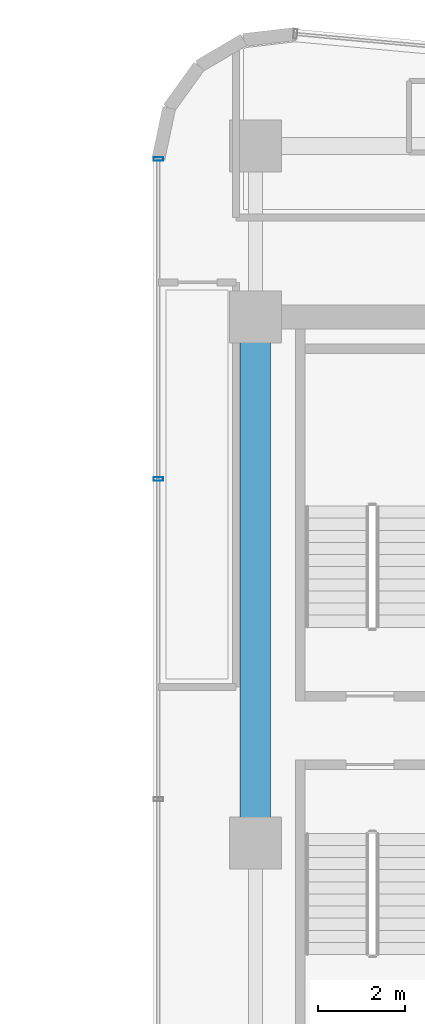
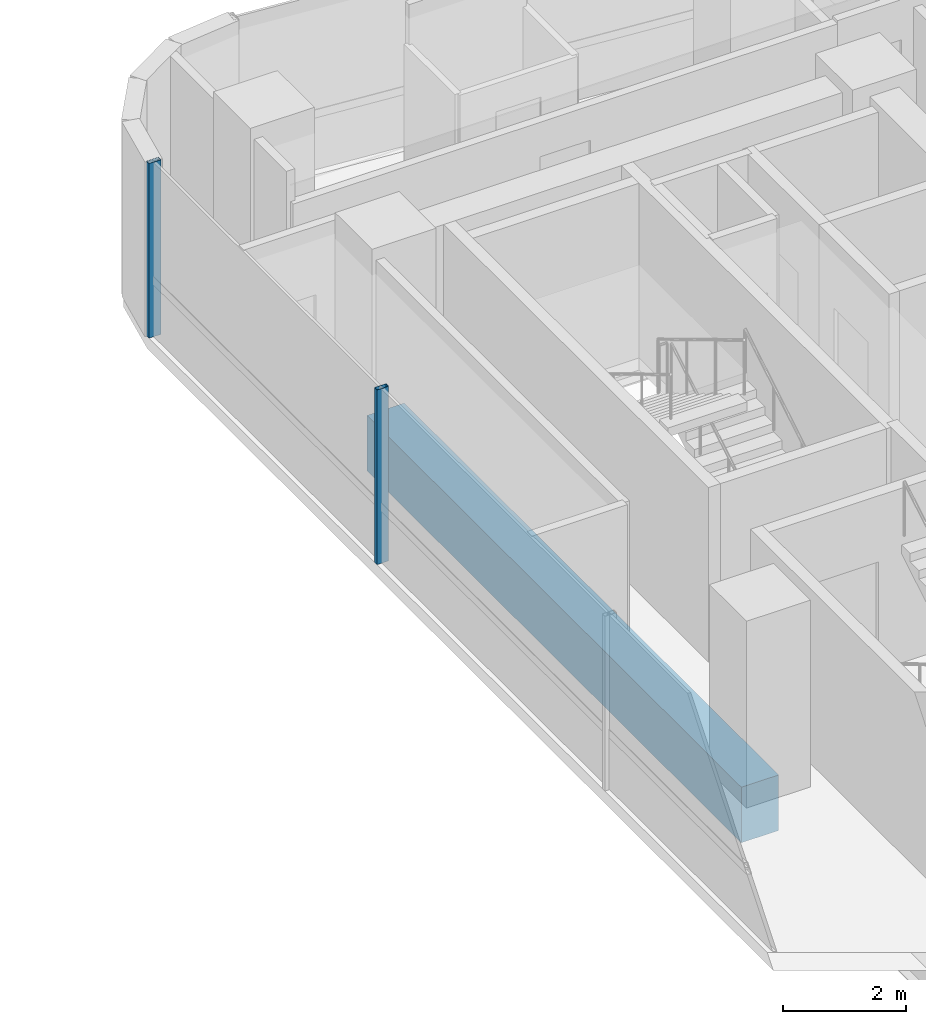
# One storey, part 15 of 33: 2 members, 1 beam, 1 element without a shape of its own.
"""IFC4 building model written with IfcOpenShell, lengths in metres."""

from ifc_helpers import new_model, si_unit, direction, frame, origin, origin_2d, place, context, subcontext, project, spatial, rectangle, hollow_rectangle, extrude, source, transform, mapped, material, material_profile, profile_set, type_object, element, aggregate, save


model = new_model("IFC4")

# Units and contexts
model_context = context("Model", 3, precision=1e-05, world=origin(), true_north=direction((0.0, 1.0)))
body_context = subcontext(model_context, "Body", "Model", "MODEL_VIEW")
ifc_project = project(units=[si_unit("LENGTHUNIT", "METRE"), si_unit("AREAUNIT", "SQUARE_METRE"), si_unit("VOLUMEUNIT", "CUBIC_METRE"), si_unit("PLANEANGLEUNIT", "RADIAN"), si_unit("MASSUNIT", "GRAM", prefix="KILO")], contexts=[model_context])

# Site, building, storey
site_placement = place(None, origin())
site = spatial("IfcSite", under=ifc_project, at=site_placement, CompositionType="ELEMENT")
building_placement = place(site_placement, origin())
building = spatial("IfcBuilding", under=site, at=building_placement, Name="Valdorenza Pilgrim Sanctuary Tower", CompositionType="ELEMENT")
storey_placement = place(building_placement, frame((0.0, 0.0, 157.5)))
storey = spatial("IfcBuildingStorey", under=building, at=storey_placement, Name="L40", CompositionType="ELEMENT", Elevation=157.5)

# Beam
ifc_material_1 = material(Name="Concrete C50/60", Category="concrete")
ifc_material_profile_1 = material_profile(ifc_material_1, rectangle(XDim=0.699951171875, YDim=1.10009765625, at=origin_2d()), Name="RC 1100x700")
ifc_profile_set_1 = profile_set([ifc_material_profile_1], Name="Concrete C50/60")
beam_type = type_object("IfcBeamType", Name="STR-BM-LNT-1100", PredefinedType="LINTEL", material=ifc_profile_set_1)
shared_shape_1 = source(origin(), body_context, "Body", "SweptSolid", [
    extrude(rectangle(XDim=0.699951171875, YDim=1.10009765625, at=origin_2d()), origin(), (0.0, 0.0, 1.0), 12.150146484375),
])
beam_placement = place(storey_placement, frame((15.85009765625, -2.60009765625, -0.590087890625), z_axis=(0.0, 1.0, 0.0), x_axis=(-1.0, 0.0, 0.0)))
element("IfcBeam", 1, at=beam_placement, inside=storey, type_object=beam_type, Name="L40 Core B West Coupling Lintel Girder", PredefinedType="LINTEL", context=body_context, shape_type="MappedRepresentation", body=[
    mapped(shared_shape_1, transform((0.0, 0.0, 0.0), x_axis=(1.0, 0.0, 0.0), y_axis=(0.0, 1.0, 0.0), z_axis=(0.0, 0.0, 1.0), scale=1.0)),
])

# Curtain wall, members
ifc_material_2 = material(Name="Curtain-wall IGU glazing", Category="glass")
curtain_wall_type = type_object("IfcCurtainWallType", Name="CW-SYS-03", PredefinedType="NOTDEFINED", material=ifc_material_2)
curtain_wall_placement = place(storey_placement, origin())
curtain_wall = element("IfcCurtainWall", 2, at=curtain_wall_placement, inside=storey, type_object=curtain_wall_type, Name="L40 Curtain Wall CW-L40-2-1", PredefinedType="NOTDEFINED")
ifc_material_3 = material(Name="Anodised aluminium AW-6060", Category="aluminium")
ifc_material_profile_2 = material_profile(ifc_material_3, hollow_rectangle(XDim=0.0849609375, YDim=0.219970703125, WallThickness=0.0048828125, at=origin_2d()), Name="ALU-M 220x85x5")
ifc_profile_set_2 = profile_set([ifc_material_profile_2], Name="Anodised aluminium AW-6060")
member_type = type_object("IfcMemberType", Name="CW-MUL-03", PredefinedType="MULLION", material=ifc_profile_set_2)
shared_shape_2 = source(origin(), body_context, "Body", "SweptSolid", [
    extrude(hollow_rectangle(XDim=0.0849609375, YDim=0.219970703125, WallThickness=0.0048828125, at=origin_2d()), origin(), (0.0, 0.0, 1.0), 3.4599609375),
])
member_1_placement = place(storey_placement, frame((13.610107421875, 5.803466796875, 0.0), z_axis=(0.0, 0.0, 1.0), x_axis=(0.0, 1.0, 0.0)))
member_1 = element("IfcMember", 3, at=member_1_placement, type_object=member_type, Name="CW-L40-2-1 Mullion 3", PredefinedType="MULLION", context=body_context, shape_type="MappedRepresentation", body=[
    mapped(shared_shape_2, transform((0.0, 0.0, 0.0), x_axis=(1.0, 0.0, 0.0), y_axis=(0.0, 1.0, 0.0), z_axis=(0.0, 0.0, 1.0), scale=1.0)),
])
member_2_placement = place(storey_placement, frame((13.610107421875, 13.19970703125, 0.0), z_axis=(0.0, 0.0, 1.0), x_axis=(0.0, 1.0, 0.0)))
member_2 = element("IfcMember", 4, at=member_2_placement, type_object=member_type, Name="CW-L40-2-1 Mullion 4", PredefinedType="MULLION", context=body_context, shape_type="MappedRepresentation", body=[
    mapped(shared_shape_2, transform((0.0, 0.0, 0.0), x_axis=(1.0, 0.0, 0.0), y_axis=(0.0, 1.0, 0.0), z_axis=(0.0, 0.0, 1.0), scale=1.0)),
])
aggregate(curtain_wall, [member_1, member_2])

save(model, "model.ifc")
